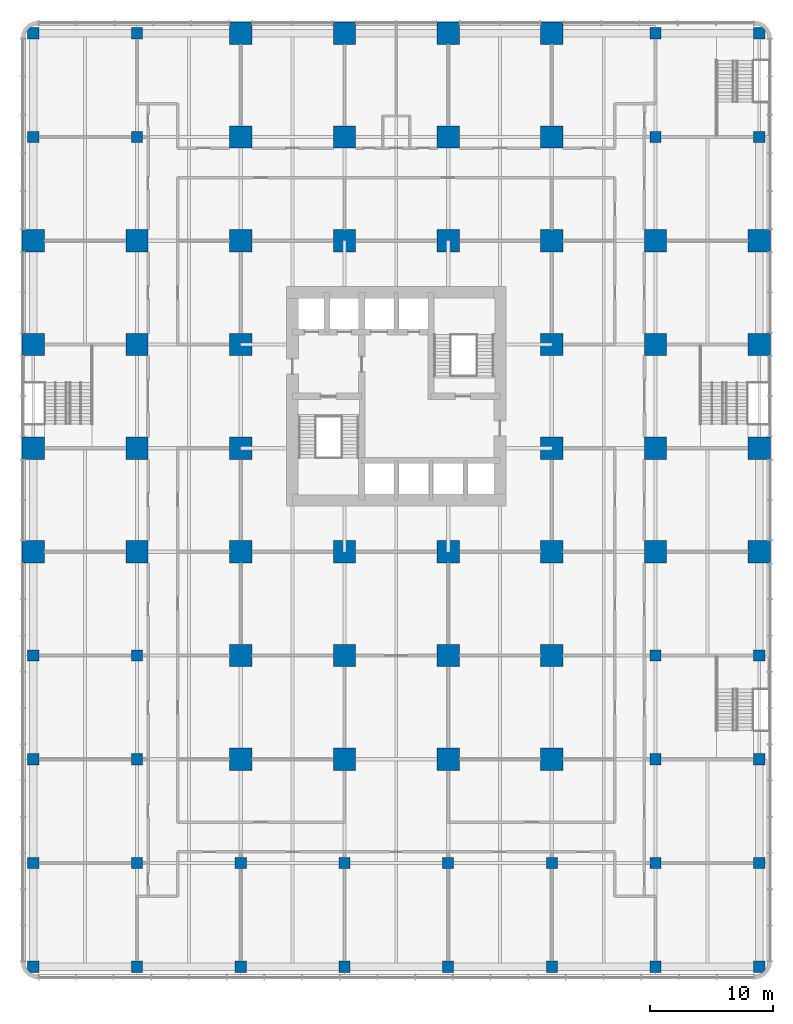
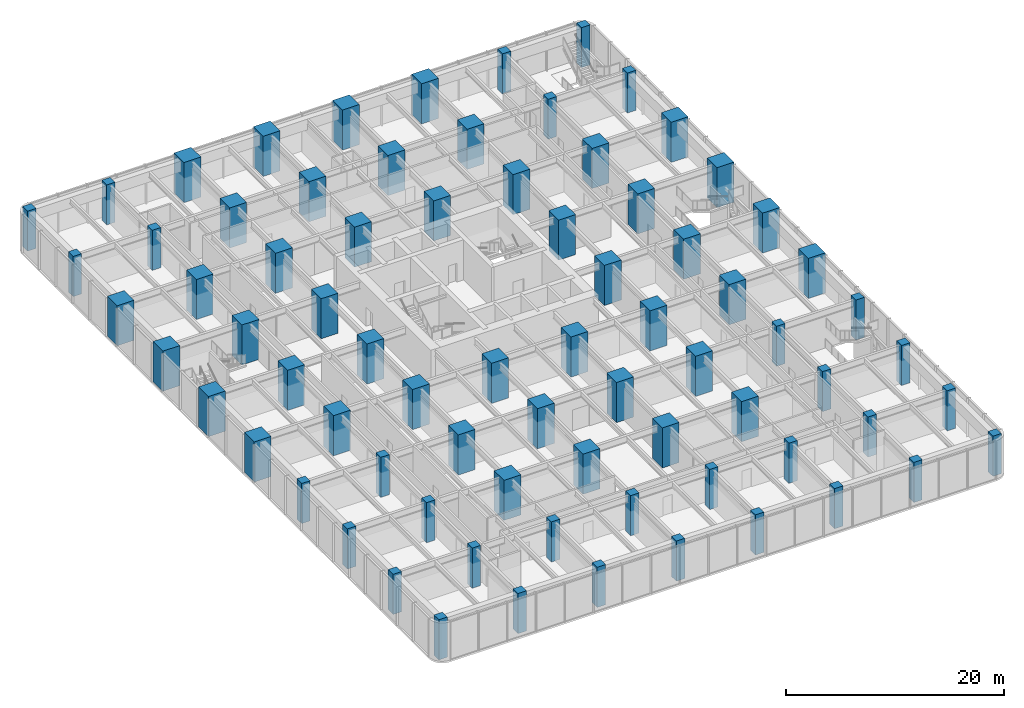
# One storey, part 1 of 19: 76 columns.
"""IFC4 building model written with IfcOpenShell, lengths in metres."""

from ifc_helpers import new_model, si_unit, direction, frame, origin, origin_2d, place, context, subcontext, project, spatial, rectangle, extrude, material, material_profile, profile_set, type_object, element, save


model = new_model("IFC4")

# Units and contexts
model_context = context("Model", 3, precision=1e-05, world=origin(), true_north=direction((0.0, 1.0)))
body_context = subcontext(model_context, "Body", "Model", "MODEL_VIEW")
ifc_project = project(units=[si_unit("LENGTHUNIT", "METRE"), si_unit("AREAUNIT", "SQUARE_METRE"), si_unit("VOLUMEUNIT", "CUBIC_METRE"), si_unit("PLANEANGLEUNIT", "RADIAN"), si_unit("MASSUNIT", "GRAM", prefix="KILO")], contexts=[model_context])

# Site, building, storey
site_placement = place(None, origin())
site = spatial("IfcSite", under=ifc_project, at=site_placement, CompositionType="ELEMENT")
building_placement = place(site_placement, origin())
building = spatial("IfcBuilding", under=site, at=building_placement, Name="Torre Alcanfor", CompositionType="ELEMENT")
storey_placement = place(building_placement, frame((0.0, 0.0, 6.0)))
storey = spatial("IfcBuildingStorey", under=building, at=storey_placement, Name="L01", CompositionType="ELEMENT", Elevation=6.0)

# Columns
ifc_material_1 = material(Name="Concrete f'c 70 MPa", Category="concrete")
ifc_material_profile_1 = material_profile(ifc_material_1, rectangle(XDim=1.800048828125, YDim=1.800048828125, at=origin_2d()), Name="1800x1800")
ifc_profile_set_1 = profile_set([ifc_material_profile_1], Name="Concrete f'c 70 MPa")
column_type_1 = type_object("IfcColumnType", Name="RC column 1800x1800 f'c70", PredefinedType="COLUMN", material=ifc_profile_set_1)
for number, where, z_axis, x_axis, name in (
    (1, (0.0, 16.800048828125, 0.0), (0.0, 0.0, 1.0), (1.0, 0.0, 0.0), "Column 1/E L01"),
    (2, (0.0, 25.199951171875, 0.0), (0.0, 0.0, 1.0), (1.0, 0.0, 0.0), "Column 1/F L01"),
    (3, (0.0, 33.60009765625, 0.0), (0.0, 0.0, 1.0), (1.0, 0.0, 0.0), "Column 1/G L01"),
    (4, (0.0, 42.0, 0.0), (0.0, 0.0, 1.0), (1.0, 0.0, 0.0), "Column 1/H L01"),
    (5, (8.39990234375, 16.800048828125, 0.0), (0.0, 0.0, 1.0), (1.0, 0.0, 0.0), "Column 2/E L01"),
    (6, (8.39990234375, 25.199951171875, 0.0), (0.0, 0.0, 1.0), (1.0, 0.0, 0.0), "Column 2/F L01"),
    (7, (8.39990234375, 33.60009765625, 0.0), (0.0, 0.0, 1.0), (1.0, 0.0, 0.0), "Column 2/G L01"),
    (8, (8.39990234375, 42.0, 0.0), (0.0, 0.0, 1.0), (1.0, 0.0, 0.0), "Column 2/H L01"),
    (9, (16.800048828125, 0.0, 0.0), (0.0, 0.0, 1.0), (1.0, 0.0, 0.0), "Column 3/C L01"),
    (10, (16.800048828125, 8.39990234375, 0.0), (0.0, 0.0, 1.0), (1.0, 0.0, 0.0), "Column 3/D L01"),
    (11, (16.800048828125, 16.800048828125, 0.0), (0.0, 0.0, 1.0), (1.0, 0.0, 0.0), "Column 3/E L01"),
    (12, (16.800048828125, 25.199951171875, 0.0), (0.0, 0.0, 1.0), (1.0, 0.0, 0.0), "Column 3/F L01"),
    (13, (16.800048828125, 33.60009765625, 0.0), (0.0, 0.0, 1.0), (1.0, 0.0, 0.0), "Column 3/G L01"),
    (14, (16.800048828125, 42.0, 0.0), (0.0, 0.0, 1.0), (1.0, 0.0, 0.0), "Column 3/H L01"),
    (15, (16.800048828125, 50.39990234375, 0.0), (0.0, 0.0, 1.0), (1.0, 0.0, 0.0), "Column 3/J L01"),
    (16, (16.800048828125, 58.800048828125, 0.0), (0.0, 0.0, 1.0), (1.0, 0.0, 0.0), "Column 3/K L01"),
    (17, (25.199951171875, 0.0, 0.0), (0.0, 0.0, 1.0), (1.0, 0.0, 0.0), "Column 4/C L01"),
    (18, (25.199951171875, 8.39990234375, 0.0), (0.0, 0.0, 1.0), (1.0, 0.0, 0.0), "Column 4/D L01"),
    (19, (25.199951171875, 16.800048828125, 0.0), (0.0, 0.0, 1.0), (1.0, 0.0, 0.0), "Column 4/E L01"),
    (20, (25.199951171875, 42.0, 0.0), (0.0, 0.0, 1.0), (1.0, 0.0, 0.0), "Column 4/H L01"),
    (21, (25.199951171875, 50.39990234375, 0.0), (0.0, 0.0, 1.0), (1.0, 0.0, 0.0), "Column 4/J L01"),
    (22, (25.199951171875, 58.800048828125, 0.0), (0.0, 0.0, 1.0), (1.0, 0.0, 0.0), "Column 4/K L01"),
    (23, (33.60009765625, 0.0, 0.0), (0.0, 0.0, 1.0), (1.0, 0.0, 0.0), "Column 5/C L01"),
    (24, (33.60009765625, 8.39990234375, 0.0), (0.0, 0.0, 1.0), (1.0, 0.0, 0.0), "Column 5/D L01"),
    (25, (33.60009765625, 16.800048828125, 0.0), (0.0, 0.0, 1.0), (1.0, 0.0, 0.0), "Column 5/E L01"),
    (26, (33.60009765625, 42.0, 0.0), (0.0, 0.0, 1.0), (1.0, 0.0, 0.0), "Column 5/H L01"),
    (27, (33.60009765625, 50.39990234375, 0.0), (0.0, 0.0, 1.0), (1.0, 0.0, 0.0), "Column 5/J L01"),
    (28, (33.60009765625, 58.800048828125, 0.0), (0.0, 0.0, 1.0), (1.0, 0.0, 0.0), "Column 5/K L01"),
    (29, (42.0, 0.0, 0.0), (0.0, 0.0, 1.0), (1.0, 0.0, 0.0), "Column 6/C L01"),
    (30, (42.0, 8.39990234375, 0.0), (0.0, 0.0, 1.0), (1.0, 0.0, 0.0), "Column 6/D L01"),
    (31, (42.0, 16.800048828125, 0.0), (0.0, 0.0, 1.0), (1.0, 0.0, 0.0), "Column 6/E L01"),
    (32, (42.0, 25.199951171875, 0.0), (0.0, 0.0, 1.0), (1.0, 0.0, 0.0), "Column 6/F L01"),
    (33, (42.0, 33.60009765625, 0.0), (0.0, 0.0, 1.0), (1.0, 0.0, 0.0), "Column 6/G L01"),
    (34, (42.0, 42.0, 0.0), (0.0, 0.0, 1.0), (1.0, 0.0, 0.0), "Column 6/H L01"),
    (35, (42.0, 50.39990234375, 0.0), (0.0, 0.0, 1.0), (1.0, 0.0, 0.0), "Column 6/J L01"),
    (36, (42.0, 58.800048828125, 0.0), (0.0, 0.0, 1.0), (1.0, 0.0, 0.0), "Column 6/K L01"),
    (37, (50.39990234375, 16.800048828125, 0.0), (0.0, 0.0, 1.0), (1.0, 0.0, 0.0), "Column 7/E L01"),
    (38, (50.39990234375, 25.199951171875, 0.0), (0.0, 0.0, 1.0), (1.0, 0.0, 0.0), "Column 7/F L01"),
    (39, (50.39990234375, 33.60009765625, 0.0), (0.0, 0.0, 1.0), (1.0, 0.0, 0.0), "Column 7/G L01"),
    (40, (50.39990234375, 42.0, 0.0), (0.0, 0.0, 1.0), (1.0, 0.0, 0.0), "Column 7/H L01"),
    (41, (58.800048828125, 16.800048828125, 0.0), (0.0, 0.0, 1.0), (1.0, 0.0, 0.0), "Column 8/E L01"),
    (42, (58.800048828125, 25.199951171875, 0.0), (0.0, 0.0, 1.0), (1.0, 0.0, 0.0), "Column 8/F L01"),
    (43, (58.800048828125, 33.60009765625, 0.0), (0.0, 0.0, 1.0), (1.0, 0.0, 0.0), "Column 8/G L01"),
    (44, (58.800048828125, 42.0, 0.0), (0.0, 0.0, 1.0), (1.0, 0.0, 0.0), "Column 8/H L01"),
):
    element("IfcColumn", number, at=place(storey_placement, frame(where, z_axis=z_axis, x_axis=x_axis)), inside=storey, type_object=column_type_1, Name=name, PredefinedType="COLUMN", context=body_context, shape_type="SweptSolid", body=[
        extrude(rectangle(XDim=1.800048828125, YDim=1.800048828125, at=origin_2d()), origin(), (0.0, 0.0, 1.0), 4.5),
    ])
ifc_material_2 = material(Name="Concrete f'c 70 MPa", Category="concrete")
ifc_material_profile_2 = material_profile(ifc_material_2, rectangle(XDim=0.89990234375, YDim=0.89990234375, at=origin_2d()), Name="900x900")
ifc_profile_set_2 = profile_set([ifc_material_profile_2], Name="Concrete f'c 70 MPa")
column_type_2 = type_object("IfcColumnType", Name="RC column 900x900 f'c70", PredefinedType="COLUMN", material=ifc_profile_set_2)
for number, where, z_axis, x_axis, name in (
    (45, (0.0, -16.800048828125, 0.0), (0.0, 0.0, 1.0), (1.0, 0.0, 0.0), "Column 1/A L01"),
    (46, (0.0, -8.39990234375, 0.0), (0.0, 0.0, 1.0), (1.0, 0.0, 0.0), "Column 1/B L01"),
    (47, (0.0, 0.0, 0.0), (0.0, 0.0, 1.0), (1.0, 0.0, 0.0), "Column 1/C L01"),
    (48, (0.0, 8.39990234375, 0.0), (0.0, 0.0, 1.0), (1.0, 0.0, 0.0), "Column 1/D L01"),
    (49, (0.0, 50.39990234375, 0.0), (0.0, 0.0, 1.0), (1.0, 0.0, 0.0), "Column 1/J L01"),
    (50, (0.0, 58.800048828125, 0.0), (0.0, 0.0, 1.0), (1.0, 0.0, 0.0), "Column 1/K L01"),
    (51, (8.39990234375, -16.800048828125, 0.0), (0.0, 0.0, 1.0), (1.0, 0.0, 0.0), "Column 2/A L01"),
    (52, (8.39990234375, -8.39990234375, 0.0), (0.0, 0.0, 1.0), (1.0, 0.0, 0.0), "Column 2/B L01"),
    (53, (8.39990234375, 0.0, 0.0), (0.0, 0.0, 1.0), (1.0, 0.0, 0.0), "Column 2/C L01"),
    (54, (8.39990234375, 8.39990234375, 0.0), (0.0, 0.0, 1.0), (1.0, 0.0, 0.0), "Column 2/D L01"),
    (55, (8.39990234375, 50.39990234375, 0.0), (0.0, 0.0, 1.0), (1.0, 0.0, 0.0), "Column 2/J L01"),
    (56, (8.39990234375, 58.800048828125, 0.0), (0.0, 0.0, 1.0), (1.0, 0.0, 0.0), "Column 2/K L01"),
    (57, (16.800048828125, -16.800048828125, 0.0), (0.0, 0.0, 1.0), (1.0, 0.0, 0.0), "Column 3/A L01"),
    (58, (16.800048828125, -8.39990234375, 0.0), (0.0, 0.0, 1.0), (1.0, 0.0, 0.0), "Column 3/B L01"),
    (59, (25.199951171875, -16.800048828125, 0.0), (0.0, 0.0, 1.0), (1.0, 0.0, 0.0), "Column 4/A L01"),
    (60, (25.199951171875, -8.39990234375, 0.0), (0.0, 0.0, 1.0), (1.0, 0.0, 0.0), "Column 4/B L01"),
    (61, (33.60009765625, -16.800048828125, 0.0), (0.0, 0.0, 1.0), (1.0, 0.0, 0.0), "Column 5/A L01"),
    (62, (33.60009765625, -8.39990234375, 0.0), (0.0, 0.0, 1.0), (1.0, 0.0, 0.0), "Column 5/B L01"),
    (63, (42.0, -16.800048828125, 0.0), (0.0, 0.0, 1.0), (1.0, 0.0, 0.0), "Column 6/A L01"),
    (64, (42.0, -8.39990234375, 0.0), (0.0, 0.0, 1.0), (1.0, 0.0, 0.0), "Column 6/B L01"),
    (65, (50.39990234375, -16.800048828125, 0.0), (0.0, 0.0, 1.0), (1.0, 0.0, 0.0), "Column 7/A L01"),
    (66, (50.39990234375, -8.39990234375, 0.0), (0.0, 0.0, 1.0), (1.0, 0.0, 0.0), "Column 7/B L01"),
    (67, (50.39990234375, 0.0, 0.0), (0.0, 0.0, 1.0), (1.0, 0.0, 0.0), "Column 7/C L01"),
    (68, (50.39990234375, 8.39990234375, 0.0), (0.0, 0.0, 1.0), (1.0, 0.0, 0.0), "Column 7/D L01"),
    (69, (50.39990234375, 50.39990234375, 0.0), (0.0, 0.0, 1.0), (1.0, 0.0, 0.0), "Column 7/J L01"),
    (70, (50.39990234375, 58.800048828125, 0.0), (0.0, 0.0, 1.0), (1.0, 0.0, 0.0), "Column 7/K L01"),
    (71, (58.800048828125, -16.800048828125, 0.0), (0.0, 0.0, 1.0), (1.0, 0.0, 0.0), "Column 8/A L01"),
    (72, (58.800048828125, -8.39990234375, 0.0), (0.0, 0.0, 1.0), (1.0, 0.0, 0.0), "Column 8/B L01"),
    (73, (58.800048828125, 0.0, 0.0), (0.0, 0.0, 1.0), (1.0, 0.0, 0.0), "Column 8/C L01"),
    (74, (58.800048828125, 8.39990234375, 0.0), (0.0, 0.0, 1.0), (1.0, 0.0, 0.0), "Column 8/D L01"),
    (75, (58.800048828125, 50.39990234375, 0.0), (0.0, 0.0, 1.0), (1.0, 0.0, 0.0), "Column 8/J L01"),
    (76, (58.800048828125, 58.800048828125, 0.0), (0.0, 0.0, 1.0), (1.0, 0.0, 0.0), "Column 8/K L01"),
):
    element("IfcColumn", number, at=place(storey_placement, frame(where, z_axis=z_axis, x_axis=x_axis)), inside=storey, type_object=column_type_2, Name=name, PredefinedType="COLUMN", context=body_context, shape_type="SweptSolid", body=[
        extrude(rectangle(XDim=0.89990234375, YDim=0.89990234375, at=origin_2d()), origin(), (0.0, 0.0, 1.0), 4.5),
    ])

save(model, "model.ifc")
